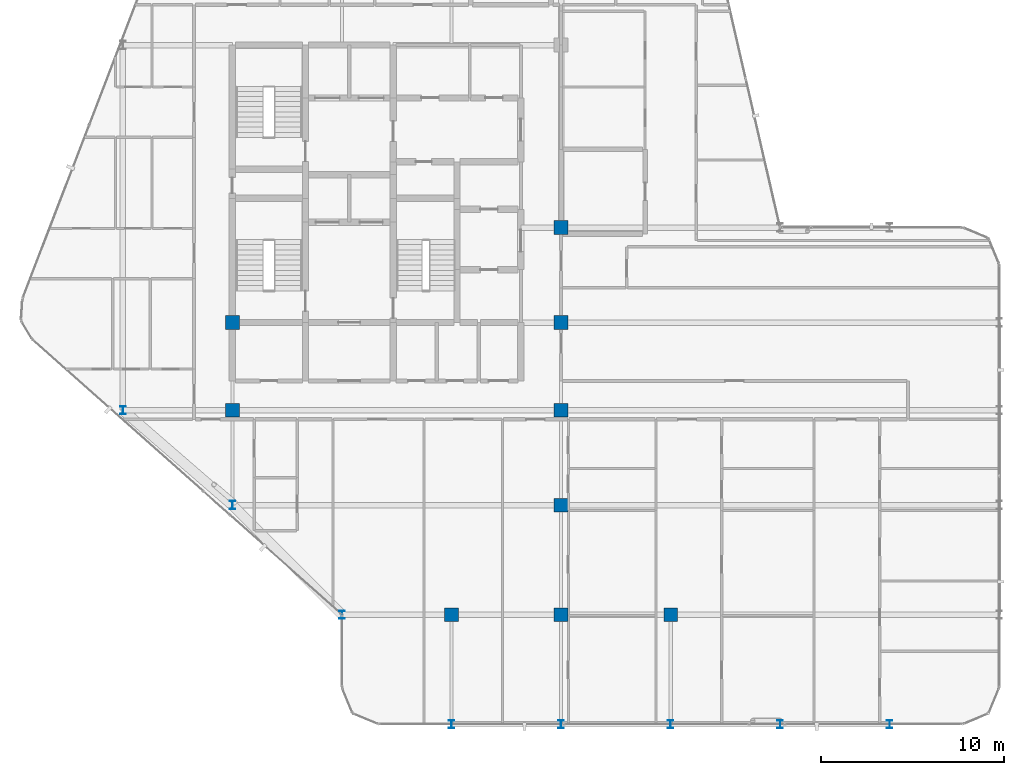
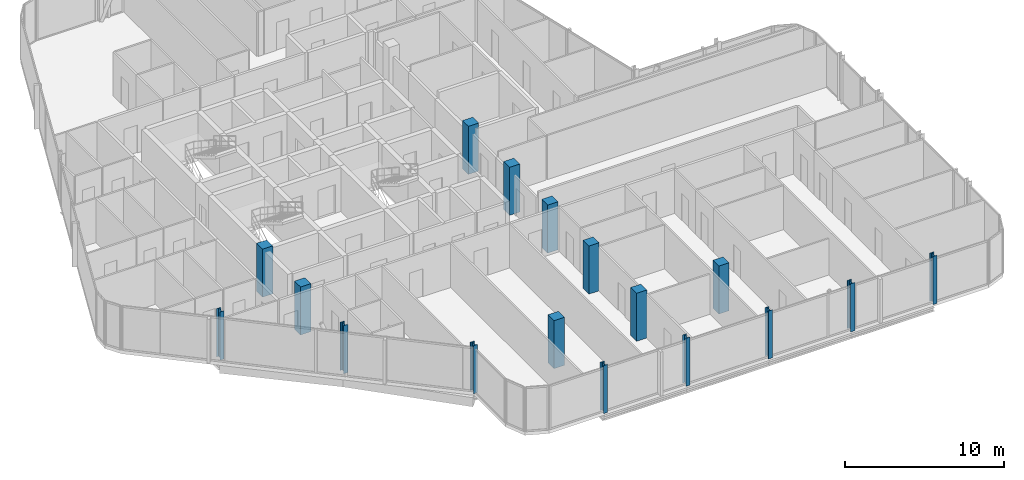
# One storey, part 1 of 29: 17 columns.
"""IFC4 building model written with IfcOpenShell, lengths in metres."""

from ifc_helpers import new_model, si_unit, direction, frame, origin, origin_2d, place, context, subcontext, project, spatial, rectangle, i_section, extrude, material, material_profile, profile_set, type_object, element, save


model = new_model("IFC4")

# Units and contexts
model_context = context("Model", 3, precision=1e-05, world=origin(), true_north=direction((0.0, 1.0)))
body_context = subcontext(model_context, "Body", "Model", "MODEL_VIEW")
ifc_project = project(units=[si_unit("LENGTHUNIT", "METRE"), si_unit("AREAUNIT", "SQUARE_METRE"), si_unit("VOLUMEUNIT", "CUBIC_METRE"), si_unit("PLANEANGLEUNIT", "RADIAN"), si_unit("MASSUNIT", "GRAM", prefix="KILO")], contexts=[model_context])

# Site, building, storey
site_placement = place(None, origin())
site = spatial("IfcSite", under=ifc_project, at=site_placement, CompositionType="ELEMENT")
building_placement = place(site_placement, origin())
building = spatial("IfcBuilding", under=site, at=building_placement, Name="Keshet Zoharim Tower", CompositionType="ELEMENT")
storey_placement = place(building_placement, frame((0.0, 0.0, 226.5)))
storey = spatial("IfcBuildingStorey", under=building, at=storey_placement, Name="L56", CompositionType="ELEMENT", Elevation=226.5)

# Columns
ifc_material_1 = material(Name="Steel S355", Category="steel")
ifc_material_profile_1 = material_profile(ifc_material_1, i_section(OverallWidth=0.300048828125, OverallDepth=0.449951171875, WebThickness=0.013916015625, FlangeThickness=0.02587890625, FilletRadius=0.027099609375, at=origin_2d()), Name="HEB450")
ifc_profile_set_1 = profile_set([ifc_material_profile_1], Name="Steel S355")
column_type_1 = type_object("IfcColumnType", Name="COL-HEB450", PredefinedType="COLUMN", material=ifc_profile_set_1)
for number, where, z_axis, x_axis, name in (
    (1, (9.0, 17.89990234375, 0.0), (0.0, 0.0, 1.0), (1.0, 0.0, 0.0), "L56 Column 2D"),
    (2, (15.0, 12.699951171875, 0.0), (0.0, 0.0, 1.0), (1.0, 0.0, 0.0), "L56 Column 3C"),
    (3, (21.0, 6.699951171875, 0.0), (0.0, 0.0, 1.0), (1.0, 0.0, 0.0), "L56 Column 4B"),
    (4, (27.0, 0.699951171875, 0.0), (0.0, 0.0, 1.0), (1.0, 0.0, 0.0), "L56 Column 5A"),
    (5, (33.0, 0.699951171875, 0.0), (0.0, 0.0, 1.0), (1.0, 0.0, 0.0), "L56 Column 6A"),
    (6, (39.0, 0.699951171875, 0.0), (0.0, 0.0, 1.0), (1.0, 0.0, 0.0), "L56 Column 7A"),
    (7, (45.0, 0.699951171875, 0.0), (0.0, 0.0, 1.0), (1.0, 0.0, 0.0), "L56 Column 8A"),
    (8, (51.0, 0.699951171875, 0.0), (0.0, 0.0, 1.0), (1.0, 0.0, 0.0), "L56 Column 9A"),
):
    element("IfcColumn", number, at=place(storey_placement, frame(where, z_axis=z_axis, x_axis=x_axis)), inside=storey, type_object=column_type_1, Name=name, PredefinedType="COLUMN", context=body_context, shape_type="SweptSolid", body=[
        extrude(i_section(OverallWidth=0.300048828125, OverallDepth=0.449951171875, WebThickness=0.013916015625, FlangeThickness=0.02587890625, FilletRadius=0.027099609375, at=origin_2d()), origin(), (0.0, 0.0, 1.0), 3.699951171875),
    ])
ifc_material_2 = material(Name="Concrete C50/60", Category="concrete")
ifc_material_profile_2 = material_profile(ifc_material_2, rectangle(XDim=0.75, YDim=0.75, at=origin_2d()), Name="RC750x750")
ifc_profile_set_2 = profile_set([ifc_material_profile_2], Name="Concrete C50/60")
column_type_2 = type_object("IfcColumnType", Name="COL-RC750", PredefinedType="COLUMN", material=ifc_profile_set_2)
for number, where, z_axis, x_axis, name in (
    (9, (15.0, 17.89990234375, 0.0), (0.0, 0.0, 1.0), (1.0, 0.0, 0.0), "L56 Column 3D"),
    (10, (15.0, 22.699951171875, 0.0), (0.0, 0.0, 1.0), (1.0, 0.0, 0.0), "L56 Column 3E"),
    (11, (27.0, 6.699951171875, 0.0), (0.0, 0.0, 1.0), (1.0, 0.0, 0.0), "L56 Column 5B"),
    (12, (33.0, 6.699951171875, 0.0), (0.0, 0.0, 1.0), (1.0, 0.0, 0.0), "L56 Column 6B"),
    (13, (33.0, 12.699951171875, 0.0), (0.0, 0.0, 1.0), (1.0, 0.0, 0.0), "L56 Column 6C"),
    (14, (33.0, 17.89990234375, 0.0), (0.0, 0.0, 1.0), (1.0, 0.0, 0.0), "L56 Column 6D"),
    (15, (33.0, 22.699951171875, 0.0), (0.0, 0.0, 1.0), (1.0, 0.0, 0.0), "L56 Column 6E"),
    (16, (33.0, 27.89990234375, 0.0), (0.0, 0.0, 1.0), (1.0, 0.0, 0.0), "L56 Column 6F"),
    (17, (39.0, 6.699951171875, 0.0), (0.0, 0.0, 1.0), (1.0, 0.0, 0.0), "L56 Column 7B"),
):
    element("IfcColumn", number, at=place(storey_placement, frame(where, z_axis=z_axis, x_axis=x_axis)), inside=storey, type_object=column_type_2, Name=name, PredefinedType="COLUMN", context=body_context, shape_type="SweptSolid", body=[
        extrude(rectangle(XDim=0.75, YDim=0.75, at=origin_2d()), origin(), (0.0, 0.0, 1.0), 3.699951171875),
    ])

save(model, "model.ifc")
